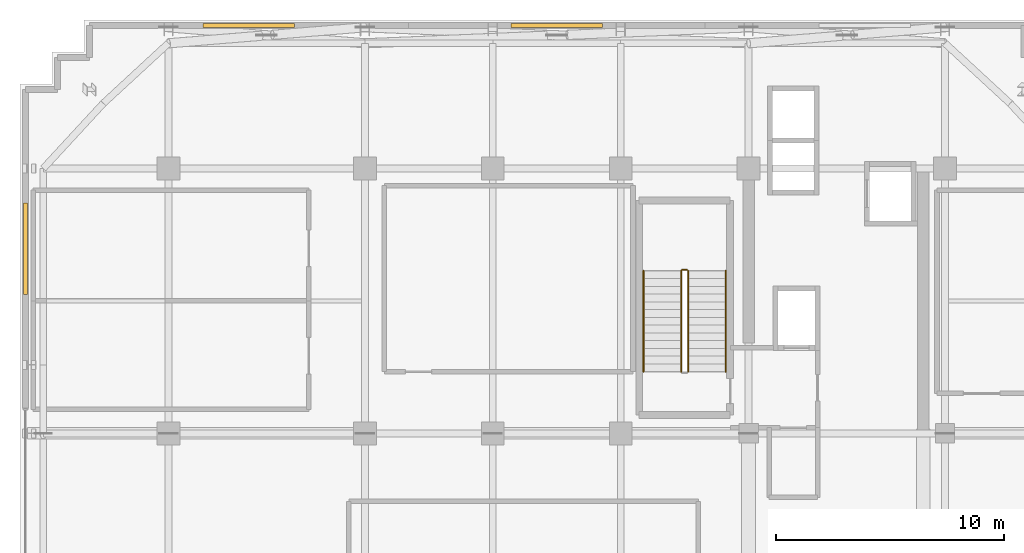
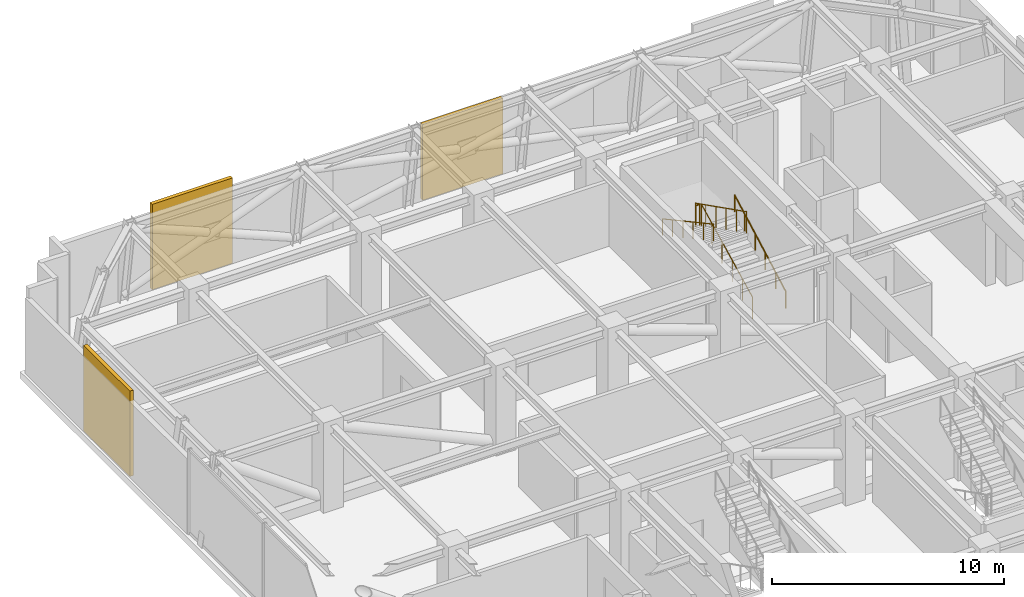
# One storey, part 14 of 15: 5 railings, 3 shading devices.
"""IFC4 building model written with IfcOpenShell, lengths in metres."""

import ifcopenshell
import ifcopenshell.guid

model = None  # the IFC model being written
_history = None  # IfcOwnerHistory: only IFC2X3 demands one
_inside = {}  # id of a spatial element -> (the spatial element, [elements in it])
_under = {}  # id of a project, library or spatial element -> (it, [spatial elements below it])
_declared = {}  # id of a project -> (the project, [libraries it declares])
_typed = {}  # id of a type object -> (the type object, [elements of that type])
_made_of = {}  # id of a material, layer set ... -> (it, [elements and type objects made of it])


def new_model(schema):
    """Start an empty IFC model of exactly this schema.

    Asked for "IFC4X3", IfcOpenShell would pick the latest addendum, in which some entities
    have other attributes; the version numbers below select the first issue.
    IFC2X3 requires an IfcOwnerHistory on every rooted entity: one is made here for all.
    """
    global model, _history
    if schema == "IFC4X3":
        model = ifcopenshell.file(schema_version=(4, 3, 0, 0))
    else:
        model = ifcopenshell.file(schema=schema)
    _inside.clear()
    _under.clear()
    _declared.clear()
    _typed.clear()
    _made_of.clear()
    _history = None
    if model.schema == "IFC2X3":
        org = make("IfcOrganization", Name="unknown")
        user = make(
            "IfcPersonAndOrganization",
            ThePerson=make("IfcPerson", FamilyName="unknown"),
            TheOrganization=org,
        )
        app = make(
            "IfcApplication",
            ApplicationDeveloper=org,
            Version="unknown",
            ApplicationFullName="unknown",
            ApplicationIdentifier="unknown",
        )
        _history = make(
            "IfcOwnerHistory",
            OwningUser=user,
            OwningApplication=app,
            ChangeAction="ADDED",
            CreationDate=0,
        )
    return model


def make(cls, **values):
    """One entity of the class cls with the attributes given. An attribute that is None is left unset."""
    return model.create_entity(
        cls, **{name: value for name, value in values.items() if value is not None}
    )


def rooted(cls, **values):
    """An entity with a GlobalId (a new one), such as an element, a storey or a relation."""
    return make(cls, GlobalId=ifcopenshell.guid.new(), OwnerHistory=_history, **values)


def si_unit(unit_type, name, prefix=None):
    """IfcSIUnit, for example si_unit("LENGTHUNIT", "METRE", prefix="MILLI")."""
    return make("IfcSIUnit", UnitType=unit_type, Prefix=prefix, Name=name)


def assignment(units):
    """IfcUnitAssignment: the units of a project."""
    return None if units is None else make("IfcUnitAssignment", Units=units)


def point(xyz):
    """IfcCartesianPoint."""
    return None if xyz is None else make("IfcCartesianPoint", Coordinates=xyz)


def direction(xyz):
    """IfcDirection."""
    return None if xyz is None else make("IfcDirection", DirectionRatios=xyz)


def frame(location, z_axis=None, x_axis=None):
    """IfcAxis2Placement3D, a coordinate frame: its origin and axes. An axis left out is left unset."""
    return make(
        "IfcAxis2Placement3D",
        Location=point(location),
        Axis=direction(z_axis),
        RefDirection=direction(x_axis),
    )


def frame_2d(location, x_axis=None):
    """IfcAxis2Placement2D, a coordinate frame in the plane: its origin and x axis."""
    return make(
        "IfcAxis2Placement2D", Location=point(location), RefDirection=direction(x_axis)
    )


def origin():
    """The frame at (0, 0, 0) with its axes left unset."""
    return frame((0.0, 0.0, 0.0))


def origin_2d():
    """The frame at (0, 0) in the plane with its x axis left unset."""
    return frame_2d((0.0, 0.0))


def place(relative_to, where):
    """IfcLocalPlacement: puts the frame where relative to a parent placement (None: the world)."""
    return make(
        "IfcLocalPlacement", PlacementRelTo=relative_to, RelativePlacement=where
    )


def context(
    kind, dimensions, precision=None, world=None, true_north=None, identifier=None
):
    """IfcGeometricRepresentationContext, for example the 3D "Model" context."""
    return make(
        "IfcGeometricRepresentationContext",
        ContextIdentifier=identifier,
        ContextType=kind,
        CoordinateSpaceDimension=dimensions,
        Precision=precision,
        WorldCoordinateSystem=world,
        TrueNorth=true_north,
    )


def subcontext(parent, identifier, kind, view, scale=None):
    """IfcGeometricRepresentationSubContext, for example "Body" below "Model"."""
    return make(
        "IfcGeometricRepresentationSubContext",
        ContextIdentifier=identifier,
        ContextType=kind,
        ParentContext=parent,
        TargetScale=scale,
        TargetView=view,
    )


def project(units=None, contexts=None):
    """IfcProject with its units and contexts."""
    return rooted(
        "IfcProject",
        Name="project",
        RepresentationContexts=contexts,
        UnitsInContext=assignment(units),
    )


def spatial(cls, under=None, at=None, **own):
    """A site, building, storey or space (cls), placed at a placement, below another one or the project."""
    s = rooted(cls, ObjectPlacement=at, **own)
    if under is not None:
        _under.setdefault(under.id(), (under, []))[1].append(s)
    return s


def profile(cls, at=None, kind="AREA", **sizes):
    """A parametric profile (cls). Its sizes go by their IFC names, for example OverallWidth=200.0."""
    return make(cls, ProfileType=kind, Position=at, **sizes)


def rectangle(**sizes):
    """IfcRectangleProfileDef."""
    return profile("IfcRectangleProfileDef", **sizes)


def circle(**sizes):
    """IfcCircleProfileDef."""
    return profile("IfcCircleProfileDef", **sizes)


def extrude(swept, where, along, depth):
    """IfcExtrudedAreaSolid: the profile swept, set in the frame where, extruded along a direction by depth."""
    return make(
        "IfcExtrudedAreaSolid",
        SweptArea=swept,
        Position=where,
        ExtrudedDirection=direction(along),
        Depth=depth,
    )


def shape(context_of_items, identifier, shape_type, items):
    """IfcShapeRepresentation: the items that make up one representation, for example the "Body"."""
    return make(
        "IfcShapeRepresentation",
        ContextOfItems=context_of_items,
        RepresentationIdentifier=identifier,
        RepresentationType=shape_type,
        Items=items,
    )


def source(mapping_origin, context_of_items, identifier, shape_type, items):
    """IfcRepresentationMap: a shape defined once, which mapped items show again and again."""
    return make(
        "IfcRepresentationMap",
        MappingOrigin=mapping_origin,
        MappedRepresentation=shape(context_of_items, identifier, shape_type, items),
    )


def transform(
    local_origin,
    x_axis=None,
    y_axis=None,
    z_axis=None,
    scale=None,
    scale2=None,
    scale3=None,
    uniform=True,
):
    """IfcCartesianTransformationOperator3D, or its non-uniform kind. x_axis, y_axis, z_axis: its Axis1, 2, 3."""
    if uniform:
        return make(
            "IfcCartesianTransformationOperator3D",
            Axis1=direction(x_axis),
            Axis2=direction(y_axis),
            LocalOrigin=point(local_origin),
            Scale=scale,
            Axis3=direction(z_axis),
        )
    return make(
        "IfcCartesianTransformationOperator3DnonUniform",
        Axis1=direction(x_axis),
        Axis2=direction(y_axis),
        LocalOrigin=point(local_origin),
        Scale=scale,
        Axis3=direction(z_axis),
        Scale2=scale2,
        Scale3=scale3,
    )


def mapped(mapping_source, mapping_target):
    """IfcMappedItem: shows the shape of a source again, moved by a transform."""
    return make(
        "IfcMappedItem", MappingSource=mapping_source, MappingTarget=mapping_target
    )


def material(Name=None, Category=None):
    """IfcMaterial."""
    return make("IfcMaterial", Name=Name, Category=Category)


def layer(
    of_material, thickness, ventilated=None, Name=None, Category=None, Priority=None
):
    """IfcMaterialLayer: one layer of a wall or slab, of a material (None: an air gap)."""
    return make(
        "IfcMaterialLayer",
        Material=of_material,
        LayerThickness=thickness,
        IsVentilated=ventilated,
        Name=Name,
        Category=Category,
        Priority=Priority,
    )


def layer_set(layers, Name=None):
    """IfcMaterialLayerSet."""
    return make("IfcMaterialLayerSet", MaterialLayers=layers, LayerSetName=Name)


def made_of(thing, what):
    """Note that an element or type object is made of a material, layer set ...; save() writes the relation."""
    if what is not None:
        _made_of.setdefault(what.id(), (what, []))[1].append(thing)
    return thing


def type_object(cls, material=None, **own):
    """A type object (cls), such as IfcWallType, which elements share."""
    return made_of(rooted(cls, **own), material)


def element(
    cls,
    number,
    at=None,
    inside=None,
    cuts=None,
    type_object=None,
    material=None,
    context=None,
    identifier="Body",
    shape_type=None,
    held_by="IfcProductDefinitionShape",
    body=None,
    shapes=None,
    **own,
):
    """One element of the class cls, such as IfcWall. Its Tag is "e" and its number.

    at: its placement. inside: the storey or other place that contains it. cuts: it is an
    opening in that element (IfcRelVoidsElement). A single representation is given by context,
    identifier, shape_type and body (its items); several are given by shapes. held_by: the class
    of the entity that holds the representations. save() writes the other relations.
    """
    e = rooted(cls, Tag="e%d" % number, ObjectPlacement=at, **own)
    if body is not None:
        shapes = [shape(context, identifier, shape_type, body)]
    if shapes is not None:
        e.Representation = make(held_by, Representations=shapes)
    if inside is not None:
        _inside.setdefault(inside.id(), (inside, []))[1].append(e)
    if cuts is not None:
        rooted(
            "IfcRelVoidsElement", RelatingBuildingElement=cuts, RelatedOpeningElement=e
        )
    if type_object is not None:
        _typed.setdefault(type_object.id(), (type_object, []))[1].append(e)
    return made_of(e, material)


def aggregate(whole, parts):
    """IfcRelAggregates: a whole, such as a stair, and the parts it consists of."""
    return rooted("IfcRelAggregates", RelatingObject=whole, RelatedObjects=parts)


def save(model, path):
    """Write the relations noted so far, then the file.

    IfcRelAggregates (storeys below a building ...), IfcRelContainedInSpatialStructure (elements
    in a storey), IfcRelDefinesByType, IfcRelAssociatesMaterial and IfcRelDeclares: one each for
    every whole, place, type object, material and project.
    """
    for whole, parts in _under.values():
        aggregate(whole, parts)
    for where, things in _inside.values():
        rooted(
            "IfcRelContainedInSpatialStructure",
            RelatedElements=things,
            RelatingStructure=where,
        )
    for kind, things in _typed.values():
        rooted("IfcRelDefinesByType", RelatedObjects=things, RelatingType=kind)
    for what, things in _made_of.values():
        rooted("IfcRelAssociatesMaterial", RelatedObjects=things, RelatingMaterial=what)
    for by, libraries in _declared.values():
        rooted("IfcRelDeclares", RelatingContext=by, RelatedDefinitions=libraries)
    model.write(path)


model = new_model("IFC4")

# Units and contexts
model_context = context("Model", 3, precision=1e-05, world=origin(), true_north=direction((0.0, 1.0)))
body_context = subcontext(model_context, "Body", "Model", "MODEL_VIEW")
ifc_project = project(units=[si_unit("LENGTHUNIT", "METRE"), si_unit("AREAUNIT", "SQUARE_METRE"), si_unit("VOLUMEUNIT", "CUBIC_METRE"), si_unit("PLANEANGLEUNIT", "RADIAN"), si_unit("MASSUNIT", "GRAM", prefix="KILO")], contexts=[model_context])

# Site, building, storey
site_placement = place(None, origin())
site = spatial("IfcSite", under=ifc_project, at=site_placement, CompositionType="ELEMENT")
building_placement = place(site_placement, origin())
building = spatial("IfcBuilding", under=site, at=building_placement, Name="Nahalor Promenade Grand Hotel", CompositionType="ELEMENT")
storey_placement = place(building_placement, frame((0.0, 0.0, 261.5)))
storey = spatial("IfcBuildingStorey", under=building, at=storey_placement, Name="L67", CompositionType="ELEMENT", Elevation=261.5)

# Railings
ifc_material_1 = material(Name="Steel S355JR", Category="steel")
railing_type_1 = type_object("IfcRailingType", Name="Steel Stair Guardrail 1150 mm", PredefinedType="GUARDRAIL", material=ifc_material_1)
railing_1_placement = place(storey_placement, frame((5.75, 8.10009765625, 0.17138671875)))
element("IfcRailing", 1, at=railing_1_placement, inside=storey, type_object=railing_type_1, Name="L67 ST1 stair guard 1", PredefinedType="GUARDRAIL", context=body_context, shape_type="SweptSolid", body=[
    extrude(circle(Radius=0.024048, at=origin_2d()), frame((0.0, 0.0, 1.1259765625), z_axis=(0.0, 0.89292277971, 0.450209850486), x_axis=(-1.0, 0.0, 0.0)), (0.0, 0.0, 1.0), 4.949951171875),
    extrude(circle(Radius=0.020996, at=origin_2d()), origin(), (0.0, 0.0, 1.0), 1.099853515625),
    extrude(circle(Radius=0.020996, at=origin_2d()), frame((0.0, 0.884033203125, 0.44580078125)), (0.0, 0.0, 1.0), 1.099853515625),
    extrude(circle(Radius=0.020996, at=origin_2d()), frame((0.0, 1.76806640625, 0.891357421875)), (0.0, 0.0, 1.0), 1.099853515625),
    extrude(circle(Radius=0.020996, at=origin_2d()), frame((0.0, 2.65185546875, 1.337158203125)), (0.0, 0.0, 1.0), 1.099853515625),
    extrude(circle(Radius=0.020996, at=origin_2d()), frame((0.0, 3.535888671875, 1.78271484375)), (0.0, 0.0, 1.0), 1.099853515625),
    extrude(circle(Radius=0.020996, at=origin_2d()), frame((0.0, 4.419921875, 2.228515625)), (0.0, 0.0, 1.0), 1.099853515625),
])
railing_2_placement = place(storey_placement, frame((5.699951171875, 12.570068359375, 2.39990234375)))
element("IfcRailing", 2, at=railing_2_placement, inside=storey, type_object=railing_type_1, Name="L67 ST1 stair guard 2", PredefinedType="GUARDRAIL", context=body_context, shape_type="SweptSolid", body=[
    extrude(circle(Radius=0.024048, at=origin_2d()), frame((0.0, 0.0, 1.1259765625), z_axis=(-1.0, 0.0, 0.0), x_axis=(0.0, -1.0, 0.0)), (0.0, 0.0, 1.0), 0.199951171875),
    extrude(circle(Radius=0.020996, at=origin_2d()), origin(), (0.0, 0.0, 1.0), 1.099853515625),
    extrude(circle(Radius=0.020996, at=origin_2d()), frame((-0.199951171875, 0.0, 0.0)), (0.0, 0.0, 1.0), 1.099853515625),
])
railing_3_placement = place(storey_placement, frame((5.449951171875, 12.52001953125, 2.571533203125)))
element("IfcRailing", 3, at=railing_3_placement, inside=storey, type_object=railing_type_1, Name="L67 ST1 stair guard 3", PredefinedType="GUARDRAIL", context=body_context, shape_type="SweptSolid", body=[
    extrude(circle(Radius=0.024048, at=origin_2d()), frame((0.0, 0.0, 1.1259765625), z_axis=(0.0, -0.89292277971, 0.450209850486), x_axis=(1.0, 0.0, 0.0)), (0.0, 0.0, 1.0), 4.949951171875),
    extrude(circle(Radius=0.020996, at=origin_2d()), origin(), (0.0, 0.0, 1.0), 1.099853515625),
    extrude(circle(Radius=0.020996, at=origin_2d()), frame((0.0, -0.884033203125, 0.44580078125)), (0.0, 0.0, 1.0), 1.099853515625),
    extrude(circle(Radius=0.020996, at=origin_2d()), frame((0.0, -1.76806640625, 0.891357421875)), (0.0, 0.0, 1.0), 1.099853515625),
    extrude(circle(Radius=0.020996, at=origin_2d()), frame((0.0, -2.65185546875, 1.337158203125)), (0.0, 0.0, 1.0), 1.099853515625),
    extrude(circle(Radius=0.020996, at=origin_2d()), frame((0.0, -3.535888671875, 1.78271484375)), (0.0, 0.0, 1.0), 1.099853515625),
    extrude(circle(Radius=0.020996, at=origin_2d()), frame((0.0, -4.419921875, 2.228515625)), (0.0, 0.0, 1.0), 1.099853515625),
])
railing_type_2 = type_object("IfcRailingType", Name="Steel Stair Handrail 900 mm", PredefinedType="HANDRAIL", material=ifc_material_1)
railing_4_placement = place(storey_placement, frame((7.39990234375, 8.10009765625, 0.17138671875)))
element("IfcRailing", 4, at=railing_4_placement, inside=storey, type_object=railing_type_2, Name="L67 ST1 stair handrail 1", PredefinedType="HANDRAIL", context=body_context, shape_type="SweptSolid", body=[
    extrude(circle(Radius=0.024048, at=origin_2d()), frame((0.0, 0.0, 0.8759765625), z_axis=(0.0, 0.878790038763, 0.477208620806), x_axis=(-1.0, 0.0, 0.0)), (0.0, 0.0, 1.0), 5.029541015625),
    extrude(circle(Radius=0.020996, at=origin_2d()), origin(), (0.0, 0.0, 1.0), 0.849853515625),
    extrude(circle(Radius=0.020996, at=origin_2d()), frame((0.0, 0.884033203125, 0.47998046875)), (0.0, 0.0, 1.0), 0.849853515625),
    extrude(circle(Radius=0.020996, at=origin_2d()), frame((0.0, 1.76806640625, 0.9599609375)), (0.0, 0.0, 1.0), 0.849853515625),
    extrude(circle(Radius=0.020996, at=origin_2d()), frame((0.0, 2.65185546875, 1.440185546875)), (0.0, 0.0, 1.0), 0.849853515625),
    extrude(circle(Radius=0.020996, at=origin_2d()), frame((0.0, 3.535888671875, 1.920166015625)), (0.0, 0.0, 1.0), 0.849853515625),
    extrude(circle(Radius=0.020996, at=origin_2d()), frame((0.0, 4.419921875, 2.400146484375)), (0.0, 0.0, 1.0), 0.849853515625),
])
railing_5_placement = place(storey_placement, frame((3.800048828125, 12.52001953125, 2.571533203125)))
element("IfcRailing", 5, at=railing_5_placement, inside=storey, type_object=railing_type_2, Name="L67 ST1 stair handrail 2", PredefinedType="HANDRAIL", context=body_context, shape_type="SweptSolid", body=[
    extrude(circle(Radius=0.024048, at=origin_2d()), frame((0.0, 0.0, 0.8759765625), z_axis=(0.0, -0.878810394976, 0.477171132491), x_axis=(1.0, 0.0, 0.0)), (0.0, 0.0, 1.0), 5.029541015625),
    extrude(circle(Radius=0.020996, at=origin_2d()), origin(), (0.0, 0.0, 1.0), 0.849853515625),
    extrude(circle(Radius=0.020996, at=origin_2d()), frame((0.0, -0.884033203125, 0.47998046875)), (0.0, 0.0, 1.0), 0.849853515625),
    extrude(circle(Radius=0.020996, at=origin_2d()), frame((0.0, -1.76806640625, 0.9599609375)), (0.0, 0.0, 1.0), 0.849853515625),
    extrude(circle(Radius=0.020996, at=origin_2d()), frame((0.0, -2.65185546875, 1.43994140625)), (0.0, 0.0, 1.0), 0.849853515625),
    extrude(circle(Radius=0.020996, at=origin_2d()), frame((0.0, -3.535888671875, 1.919921875)), (0.0, 0.0, 1.0), 0.849853515625),
    extrude(circle(Radius=0.020996, at=origin_2d()), frame((0.0, -4.419921875, 2.39990234375)), (0.0, 0.0, 1.0), 0.849853515625),
])

# Shading devices
ifc_material_2 = material(Name="Anodised Bronze Aluminium EN AW-6063 T6", Category="aluminium")
ifc_layer = layer(ifc_material_2, 0.179931640625)
ifc_layer_set = layer_set([ifc_layer], Name="Anodised Bronze Aluminium EN AW-6063 T6")
shading_device_type = type_object("IfcShadingDeviceType", Name="Shade-PlantLouvre-Bronze", PredefinedType="USERDEFINED", material=ifc_layer_set)
shared_shape_1 = source(origin(), body_context, "Body", "SweptSolid", [
    extrude(rectangle(XDim=4.0, YDim=0.179931640625, at=origin_2d()), origin(), (0.0, 0.0, 1.0), 4.5),
])
for number, where, z_axis, x_axis, name in (
    (6, (-13.47998046875, 23.260009765625, 0.0), (0.0, 0.0, 1.0), (1.0, 0.0, 0.0), "LV-L67-NL"),
    (7, (-23.260009765625, 13.47998046875, 0.0), (0.0, 0.0, 1.0), (0.0, 1.0, 0.0), "LV-L67-WR"),
):
    element("IfcShadingDevice", number, at=place(storey_placement, frame(where, z_axis=z_axis, x_axis=x_axis)), inside=storey, type_object=shading_device_type, Name=name, ObjectType="LOUVRE", PredefinedType="USERDEFINED", context=body_context, shape_type="MappedRepresentation", body=[
        mapped(shared_shape_1, transform((0.0, 0.0, 0.0), scale=1.0)),
    ])
shared_shape_2 = source(origin(), body_context, "Body", "SweptSolid", [
    extrude(rectangle(XDim=4.0, YDim=0.179931640625, at=origin_2d()), origin(), (0.0, 0.0, 1.0), 3.97998046875),
])
shading_device_placement = place(storey_placement, frame((0.0, 23.260009765625, 0.0), z_axis=(0.0, 0.0, 1.0), x_axis=(1.0, 0.0, 0.0)))
element("IfcShadingDevice", 8, at=shading_device_placement, inside=storey, type_object=shading_device_type, Name="LV-L67-NM", ObjectType="LOUVRE", PredefinedType="USERDEFINED", context=body_context, shape_type="MappedRepresentation", body=[
    mapped(shared_shape_2, transform((0.0, 0.0, 0.0), scale=1.0)),
])

save(model, "model.ifc")
